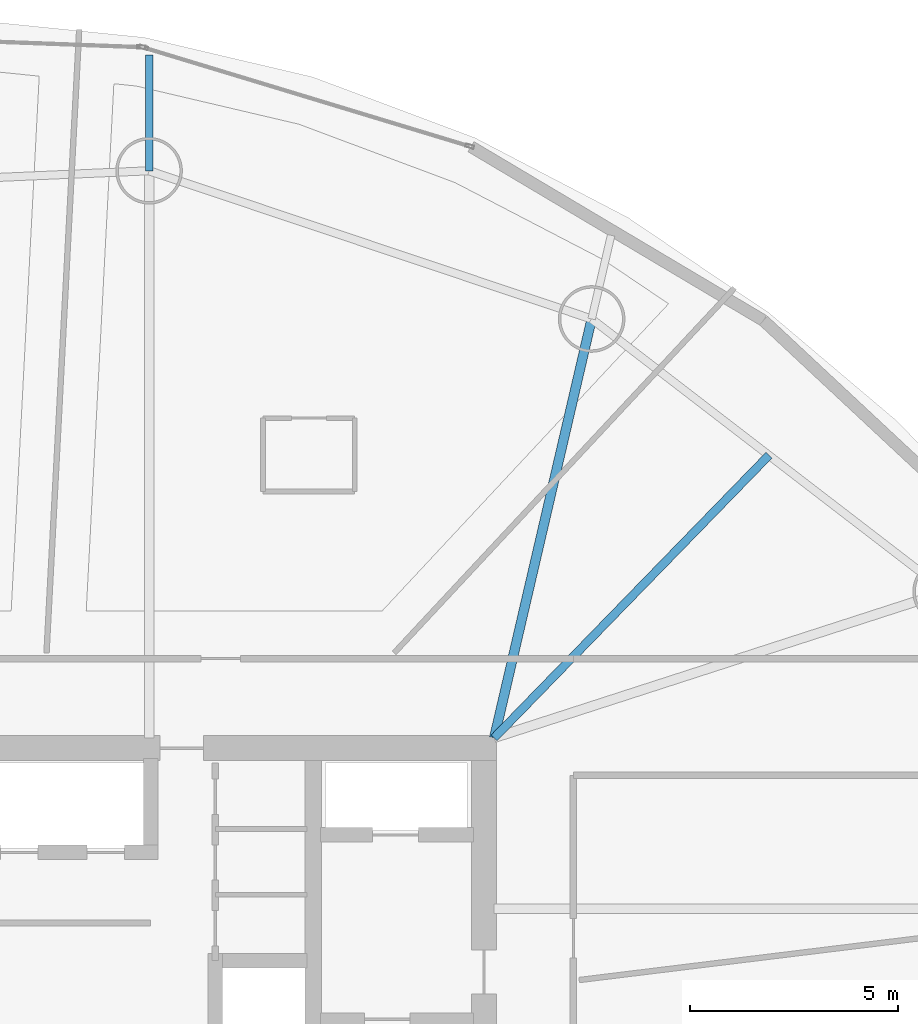
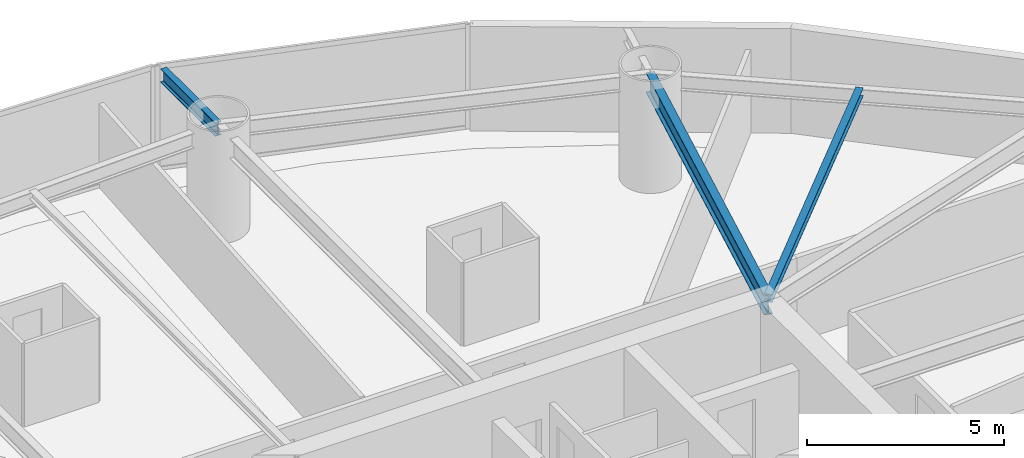
# One storey, part 18 of 27: 3 beams.
"""IFC4 building model written with IfcOpenShell, lengths in metres."""

from ifc_helpers import new_model, si_unit, direction, frame, origin, origin_2d, place, context, subcontext, project, spatial, i_section, extrude, material, material_profile, profile_set, type_object, element, save


model = new_model("IFC4")

# Units and contexts
model_context = context("Model", 3, precision=1e-05, world=origin(), true_north=direction((0.0, 1.0)))
body_context = subcontext(model_context, "Body", "Model", "MODEL_VIEW")
ifc_project = project(units=[si_unit("LENGTHUNIT", "METRE"), si_unit("AREAUNIT", "SQUARE_METRE"), si_unit("VOLUMEUNIT", "CUBIC_METRE"), si_unit("PLANEANGLEUNIT", "RADIAN"), si_unit("MASSUNIT", "GRAM", prefix="KILO")], contexts=[model_context])

# Site, building, storey
site_placement = place(None, origin())
site = spatial("IfcSite", under=ifc_project, at=site_placement, CompositionType="ELEMENT")
building_placement = place(site_placement, origin())
building = spatial("IfcBuilding", under=site, at=building_placement, Name="Bramvorn Convention Spire", CompositionType="ELEMENT")
storey_placement = place(building_placement, frame((0.0, 0.0, 72.89990234375)))
storey = spatial("IfcBuildingStorey", under=building, at=storey_placement, Name="L16", CompositionType="ELEMENT", Elevation=72.89990234375)

# Beams
ifc_material = material(Name="Steel CSA G40.21 Grade 350 (350W)", Category="steel")
ifc_material_profile_1 = material_profile(ifc_material, i_section(OverallWidth=0.201904296875, OverallDepth=0.2470703125, WebThickness=0.00732421875, FlangeThickness=0.010986328125, FilletRadius=0.011962890625, at=origin_2d()))
ifc_profile_set_1 = profile_set([ifc_material_profile_1], Name="Steel CSA G40.21 Grade 350 (350W) - W250X49")
beam_type_1 = type_object("IfcBeamType", Name="BM-W250X49", PredefinedType="JOIST", material=ifc_profile_set_1)
beam_1_placement = place(storey_placement, frame((49.25, 33.449951171875, 3.126708984375), z_axis=(0.697170484005, 0.716905374671, 0.0), x_axis=(-0.716905374671, 0.697170484005, 0.0)))
element("IfcBeam", 1, at=beam_1_placement, inside=storey, type_object=beam_type_1, Name="L16 composite floor joist 03", PredefinedType="JOIST", context=body_context, shape_type="SweptSolid", body=[
    extrude(i_section(OverallWidth=0.201904296875, OverallDepth=0.2470703125, WebThickness=0.00732421875, FlangeThickness=0.010986328125, FilletRadius=0.011962890625, at=origin_2d()), origin(), (0.0, 0.0, 1.0), 9.4638671875),
])
ifc_material_profile_2 = material_profile(ifc_material, i_section(OverallWidth=0.180908203125, OverallDepth=0.4169921875, WebThickness=0.010986328125, FlangeThickness=0.018310546875, FilletRadius=0.01611328125, at=origin_2d()))
ifc_profile_set_2 = profile_set([ifc_material_profile_2], Name="Steel CSA G40.21 Grade 350 (350W) - W410X85")
beam_type_2 = type_object("IfcBeamType", Name="BM-W410X85", PredefinedType="JOIST", material=ifc_profile_set_2)
beam_2_placement = place(storey_placement, frame((40.9609375, 47.06884765625, 3.026611328125), z_axis=(0.0, 1.0, 0.0), x_axis=(-1.0, 0.0, 0.0)))
element("IfcBeam", 2, at=beam_2_placement, inside=storey, type_object=beam_type_2, Name="L16 Sky-Garden cantilever tip girder MC05", PredefinedType="JOIST", context=body_context, shape_type="SweptSolid", body=[
    extrude(i_section(OverallWidth=0.180908203125, OverallDepth=0.4169921875, WebThickness=0.010986328125, FlangeThickness=0.018310546875, FilletRadius=0.01611328125, at=origin_2d()), origin(), (0.0, 0.0, 1.0), 2.7802734375),
])
ifc_material_profile_3 = material_profile(ifc_material, i_section(OverallWidth=0.22998046875, OverallDepth=0.616943359375, WebThickness=0.01318359375, FlangeThickness=0.022216796875, FilletRadius=0.02001953125, at=origin_2d()))
ifc_profile_set_3 = profile_set([ifc_material_profile_3], Name="Steel CSA G40.21 Grade 350 (350W) - W610X140")
beam_type_3 = type_object("IfcBeamType", Name="BM-W610X140", PredefinedType="BEAM", material=ifc_profile_set_3)
beam_3_placement = place(storey_placement, frame((49.25, 33.449951171875, 2.926513671875), z_axis=(0.226606328522, 0.973986433106, 0.0), x_axis=(-0.973986433106, 0.226606328522, 0.0)))
element("IfcBeam", 3, at=beam_3_placement, inside=storey, type_object=beam_type_3, Name="L16 Sky-Garden back-span radial girder MC04", PredefinedType="BEAM", context=body_context, shape_type="SweptSolid", body=[
    extrude(i_section(OverallWidth=0.22998046875, OverallDepth=0.616943359375, WebThickness=0.01318359375, FlangeThickness=0.022216796875, FilletRadius=0.02001953125, at=origin_2d()), origin(), (0.0, 0.0, 1.0), 10.32763671875),
])

save(model, "model.ifc")
